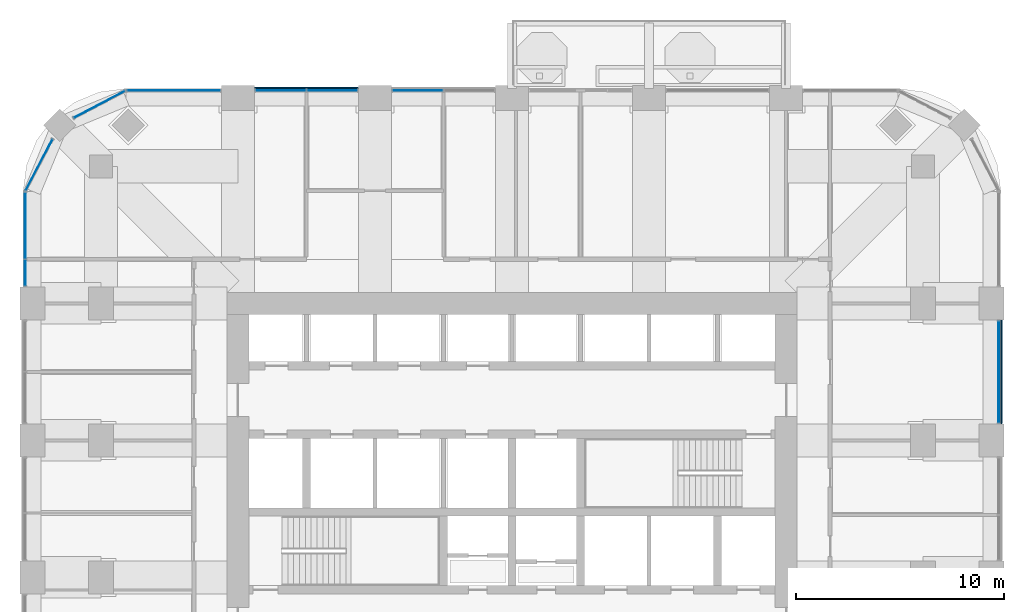
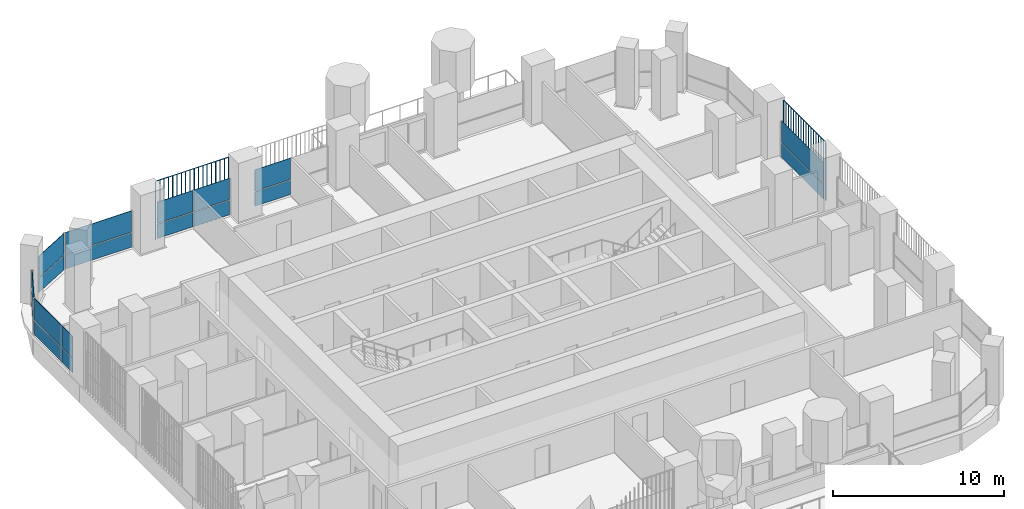
# One storey, part 11 of 20: 20 plates, 7 elements without a shape of their own.
"""IFC4 building model written with IfcOpenShell, lengths in metres."""

import ifcopenshell
import ifcopenshell.guid

model = None  # the IFC model being written
_history = None  # IfcOwnerHistory: only IFC2X3 demands one
_inside = {}  # id of a spatial element -> (the spatial element, [elements in it])
_under = {}  # id of a project, library or spatial element -> (it, [spatial elements below it])
_declared = {}  # id of a project -> (the project, [libraries it declares])
_typed = {}  # id of a type object -> (the type object, [elements of that type])
_made_of = {}  # id of a material, layer set ... -> (it, [elements and type objects made of it])


def new_model(schema):
    """Start an empty IFC model of exactly this schema.

    Asked for "IFC4X3", IfcOpenShell would pick the latest addendum, in which some entities
    have other attributes; the version numbers below select the first issue.
    IFC2X3 requires an IfcOwnerHistory on every rooted entity: one is made here for all.
    """
    global model, _history
    if schema == "IFC4X3":
        model = ifcopenshell.file(schema_version=(4, 3, 0, 0))
    else:
        model = ifcopenshell.file(schema=schema)
    _inside.clear()
    _under.clear()
    _declared.clear()
    _typed.clear()
    _made_of.clear()
    _history = None
    if model.schema == "IFC2X3":
        org = make("IfcOrganization", Name="unknown")
        user = make(
            "IfcPersonAndOrganization",
            ThePerson=make("IfcPerson", FamilyName="unknown"),
            TheOrganization=org,
        )
        app = make(
            "IfcApplication",
            ApplicationDeveloper=org,
            Version="unknown",
            ApplicationFullName="unknown",
            ApplicationIdentifier="unknown",
        )
        _history = make(
            "IfcOwnerHistory",
            OwningUser=user,
            OwningApplication=app,
            ChangeAction="ADDED",
            CreationDate=0,
        )
    return model


def make(cls, **values):
    """One entity of the class cls with the attributes given. An attribute that is None is left unset."""
    return model.create_entity(
        cls, **{name: value for name, value in values.items() if value is not None}
    )


def rooted(cls, **values):
    """An entity with a GlobalId (a new one), such as an element, a storey or a relation."""
    return make(cls, GlobalId=ifcopenshell.guid.new(), OwnerHistory=_history, **values)


def si_unit(unit_type, name, prefix=None):
    """IfcSIUnit, for example si_unit("LENGTHUNIT", "METRE", prefix="MILLI")."""
    return make("IfcSIUnit", UnitType=unit_type, Prefix=prefix, Name=name)


def assignment(units):
    """IfcUnitAssignment: the units of a project."""
    return None if units is None else make("IfcUnitAssignment", Units=units)


def point(xyz):
    """IfcCartesianPoint."""
    return None if xyz is None else make("IfcCartesianPoint", Coordinates=xyz)


def direction(xyz):
    """IfcDirection."""
    return None if xyz is None else make("IfcDirection", DirectionRatios=xyz)


def frame(location, z_axis=None, x_axis=None):
    """IfcAxis2Placement3D, a coordinate frame: its origin and axes. An axis left out is left unset."""
    return make(
        "IfcAxis2Placement3D",
        Location=point(location),
        Axis=direction(z_axis),
        RefDirection=direction(x_axis),
    )


def frame_2d(location, x_axis=None):
    """IfcAxis2Placement2D, a coordinate frame in the plane: its origin and x axis."""
    return make(
        "IfcAxis2Placement2D", Location=point(location), RefDirection=direction(x_axis)
    )


def origin():
    """The frame at (0, 0, 0) with its axes left unset."""
    return frame((0.0, 0.0, 0.0))


def origin_2d():
    """The frame at (0, 0) in the plane with its x axis left unset."""
    return frame_2d((0.0, 0.0))


def place(relative_to, where):
    """IfcLocalPlacement: puts the frame where relative to a parent placement (None: the world)."""
    return make(
        "IfcLocalPlacement", PlacementRelTo=relative_to, RelativePlacement=where
    )


def context(
    kind, dimensions, precision=None, world=None, true_north=None, identifier=None
):
    """IfcGeometricRepresentationContext, for example the 3D "Model" context."""
    return make(
        "IfcGeometricRepresentationContext",
        ContextIdentifier=identifier,
        ContextType=kind,
        CoordinateSpaceDimension=dimensions,
        Precision=precision,
        WorldCoordinateSystem=world,
        TrueNorth=true_north,
    )


def subcontext(parent, identifier, kind, view, scale=None):
    """IfcGeometricRepresentationSubContext, for example "Body" below "Model"."""
    return make(
        "IfcGeometricRepresentationSubContext",
        ContextIdentifier=identifier,
        ContextType=kind,
        ParentContext=parent,
        TargetScale=scale,
        TargetView=view,
    )


def project(units=None, contexts=None):
    """IfcProject with its units and contexts."""
    return rooted(
        "IfcProject",
        Name="project",
        RepresentationContexts=contexts,
        UnitsInContext=assignment(units),
    )


def spatial(cls, under=None, at=None, **own):
    """A site, building, storey or space (cls), placed at a placement, below another one or the project."""
    s = rooted(cls, ObjectPlacement=at, **own)
    if under is not None:
        _under.setdefault(under.id(), (under, []))[1].append(s)
    return s


def polyline(points):
    """IfcPolyline through the points."""
    return make("IfcPolyline", Points=[point(p) for p in points])


def profile(cls, at=None, kind="AREA", **sizes):
    """A parametric profile (cls). Its sizes go by their IFC names, for example OverallWidth=200.0."""
    return make(cls, ProfileType=kind, Position=at, **sizes)


def rectangle(**sizes):
    """IfcRectangleProfileDef."""
    return profile("IfcRectangleProfileDef", **sizes)


def outline(outer, holes=None, kind="AREA"):
    """IfcArbitraryClosedProfileDef: a profile drawn as a closed curve; with holes, ...WithVoids."""
    if holes is None:
        return make("IfcArbitraryClosedProfileDef", ProfileType=kind, OuterCurve=outer)
    return make(
        "IfcArbitraryProfileDefWithVoids",
        ProfileType=kind,
        OuterCurve=outer,
        InnerCurves=holes,
    )


def extrude(swept, where, along, depth):
    """IfcExtrudedAreaSolid: the profile swept, set in the frame where, extruded along a direction by depth."""
    return make(
        "IfcExtrudedAreaSolid",
        SweptArea=swept,
        Position=where,
        ExtrudedDirection=direction(along),
        Depth=depth,
    )


def shape(context_of_items, identifier, shape_type, items):
    """IfcShapeRepresentation: the items that make up one representation, for example the "Body"."""
    return make(
        "IfcShapeRepresentation",
        ContextOfItems=context_of_items,
        RepresentationIdentifier=identifier,
        RepresentationType=shape_type,
        Items=items,
    )


def material(Name=None, Category=None):
    """IfcMaterial."""
    return make("IfcMaterial", Name=Name, Category=Category)


def layer(
    of_material, thickness, ventilated=None, Name=None, Category=None, Priority=None
):
    """IfcMaterialLayer: one layer of a wall or slab, of a material (None: an air gap)."""
    return make(
        "IfcMaterialLayer",
        Material=of_material,
        LayerThickness=thickness,
        IsVentilated=ventilated,
        Name=Name,
        Category=Category,
        Priority=Priority,
    )


def layer_set(layers, Name=None):
    """IfcMaterialLayerSet."""
    return make("IfcMaterialLayerSet", MaterialLayers=layers, LayerSetName=Name)


def made_of(thing, what):
    """Note that an element or type object is made of a material, layer set ...; save() writes the relation."""
    if what is not None:
        _made_of.setdefault(what.id(), (what, []))[1].append(thing)
    return thing


def type_object(cls, material=None, **own):
    """A type object (cls), such as IfcWallType, which elements share."""
    return made_of(rooted(cls, **own), material)


def element(
    cls,
    number,
    at=None,
    inside=None,
    cuts=None,
    type_object=None,
    material=None,
    context=None,
    identifier="Body",
    shape_type=None,
    held_by="IfcProductDefinitionShape",
    body=None,
    shapes=None,
    **own,
):
    """One element of the class cls, such as IfcWall. Its Tag is "e" and its number.

    at: its placement. inside: the storey or other place that contains it. cuts: it is an
    opening in that element (IfcRelVoidsElement). A single representation is given by context,
    identifier, shape_type and body (its items); several are given by shapes. held_by: the class
    of the entity that holds the representations. save() writes the other relations.
    """
    e = rooted(cls, Tag="e%d" % number, ObjectPlacement=at, **own)
    if body is not None:
        shapes = [shape(context, identifier, shape_type, body)]
    if shapes is not None:
        e.Representation = make(held_by, Representations=shapes)
    if inside is not None:
        _inside.setdefault(inside.id(), (inside, []))[1].append(e)
    if cuts is not None:
        rooted(
            "IfcRelVoidsElement", RelatingBuildingElement=cuts, RelatedOpeningElement=e
        )
    if type_object is not None:
        _typed.setdefault(type_object.id(), (type_object, []))[1].append(e)
    return made_of(e, material)


def aggregate(whole, parts):
    """IfcRelAggregates: a whole, such as a stair, and the parts it consists of."""
    return rooted("IfcRelAggregates", RelatingObject=whole, RelatedObjects=parts)


def save(model, path):
    """Write the relations noted so far, then the file.

    IfcRelAggregates (storeys below a building ...), IfcRelContainedInSpatialStructure (elements
    in a storey), IfcRelDefinesByType, IfcRelAssociatesMaterial and IfcRelDeclares: one each for
    every whole, place, type object, material and project.
    """
    for whole, parts in _under.values():
        aggregate(whole, parts)
    for where, things in _inside.values():
        rooted(
            "IfcRelContainedInSpatialStructure",
            RelatedElements=things,
            RelatingStructure=where,
        )
    for kind, things in _typed.values():
        rooted("IfcRelDefinesByType", RelatedObjects=things, RelatingType=kind)
    for what, things in _made_of.values():
        rooted("IfcRelAssociatesMaterial", RelatedObjects=things, RelatingMaterial=what)
    for by, libraries in _declared.values():
        rooted("IfcRelDeclares", RelatingContext=by, RelatedDefinitions=libraries)
    model.write(path)


model = new_model("IFC4")

# Units and contexts
model_context = context("Model", 3, precision=1e-05, world=origin(), true_north=direction((0.0, 1.0)))
body_context = subcontext(model_context, "Body", "Model", "MODEL_VIEW")
ifc_project = project(units=[si_unit("LENGTHUNIT", "METRE"), si_unit("AREAUNIT", "SQUARE_METRE"), si_unit("VOLUMEUNIT", "CUBIC_METRE"), si_unit("PLANEANGLEUNIT", "RADIAN"), si_unit("MASSUNIT", "GRAM", prefix="KILO")], contexts=[model_context])

# Site, building, storey
site_placement = place(None, origin())
site = spatial("IfcSite", under=ifc_project, at=site_placement, CompositionType="ELEMENT")
building_placement = place(site_placement, origin())
building = spatial("IfcBuilding", under=site, at=building_placement, Name="Cobogo Forest Laboratory Tower", CompositionType="ELEMENT")
storey_placement = place(building_placement, frame((0.0, 0.0, 214.5)))
storey = spatial("IfcBuildingStorey", under=building, at=storey_placement, Name="L49", CompositionType="ELEMENT", Elevation=214.5)

# Curtain wall, plates
ifc_material_1 = material(Name="Aluminium curtain wall", Category="aluminium")
curtain_wall_type = type_object("IfcCurtainWallType", Name="CW-2 unitised curtain wall, solar control glazing, laboratory floors zones C and D", PredefinedType="USERDEFINED", material=ifc_material_1)
curtain_wall_1_placement = place(storey_placement, origin())
curtain_wall_1 = element("IfcCurtainWall", 1, at=curtain_wall_1_placement, inside=storey, type_object=curtain_wall_type, Name="Curtain wall 12 L49", ObjectType="UNITISED CURTAIN WALL", PredefinedType="USERDEFINED")
ifc_material_2 = material(Name="Solar control insulated glass", Category="glass")
ifc_layer = layer(ifc_material_2, 0.031982421875)
ifc_layer_set = layer_set([ifc_layer], Name="GP-2 solar control glass unit 32")
plate_type_1 = type_object("IfcPlateType", Name="GP-2 solar control glass unit 32", PredefinedType="CURTAIN_PANEL", material=ifc_layer_set)
plate_1_placement = place(storey_placement, frame((49.85009765625, 29.699951171875, 0.0), z_axis=(0.0, 0.0, 1.0), x_axis=(0.0, 1.0, 0.0)))
plate_1 = element("IfcPlate", 2, at=plate_1_placement, type_object=plate_type_1, Name="CW-2 panel 1.1", PredefinedType="CURTAIN_PANEL", context=body_context, shape_type="SweptSolid", body=[
    extrude(rectangle(XDim=4.8798828125, YDim=0.031982421875, at=origin_2d()), origin(), (0.0, 0.0, 1.0), 1.02001953125),
])
plate_2_placement = place(storey_placement, frame((49.85009765625, 29.699951171875, 1.080078125), z_axis=(0.0, 0.0, 1.0), x_axis=(0.0, 1.0, 0.0)))
plate_2 = element("IfcPlate", 3, at=plate_2_placement, type_object=plate_type_1, Name="CW-2 panel 1.2", PredefinedType="CURTAIN_PANEL", context=body_context, shape_type="SweptSolid", body=[
    extrude(rectangle(XDim=4.8798828125, YDim=0.031982421875, at=origin_2d()), origin(), (0.0, 0.0, 1.0), 1.52001953125),
])
aggregate(curtain_wall_1, [plate_1, plate_2])

curtain_wall_2_placement = place(storey_placement, origin())
curtain_wall_2 = element("IfcCurtainWall", 4, at=curtain_wall_2_placement, inside=storey, type_object=curtain_wall_type, Name="Curtain wall 19 L49", ObjectType="UNITISED CURTAIN WALL", PredefinedType="USERDEFINED")
plate_3_placement = place(storey_placement, frame((21.864990234375, 43.25, 0.0), z_axis=(0.0, 0.0, 1.0), x_axis=(-1.0, 0.0, 0.0)))
plate_3 = element("IfcPlate", 5, at=plate_3_placement, type_object=plate_type_1, Name="CW-2 panel 2.1", PredefinedType="CURTAIN_PANEL", context=body_context, shape_type="SweptSolid", body=[
    extrude(rectangle(XDim=2.409912109375, YDim=0.031982421875, at=origin_2d()), origin(), (0.0, 0.0, 1.0), 1.02001953125),
])
plate_4_placement = place(storey_placement, frame((21.864990234375, 43.25, 1.080078125), z_axis=(0.0, 0.0, 1.0), x_axis=(-1.0, 0.0, 0.0)))
plate_4 = element("IfcPlate", 6, at=plate_4_placement, type_object=plate_type_1, Name="CW-2 panel 2.2", PredefinedType="CURTAIN_PANEL", context=body_context, shape_type="SweptSolid", body=[
    extrude(rectangle(XDim=2.409912109375, YDim=0.031982421875, at=origin_2d()), origin(), (0.0, 0.0, 1.0), 1.52001953125),
])
aggregate(curtain_wall_2, [plate_3, plate_4])

curtain_wall_3_placement = place(storey_placement, origin())
curtain_wall_3 = element("IfcCurtainWall", 7, at=curtain_wall_3_placement, inside=storey, type_object=curtain_wall_type, Name="Curtain wall 20 L49", ObjectType="UNITISED CURTAIN WALL", PredefinedType="USERDEFINED")
plate_5_placement = place(storey_placement, frame((17.735107421875, 43.25, 0.0), z_axis=(0.0, 0.0, 1.0), x_axis=(-1.0, 0.0, 0.0)))
plate_5 = element("IfcPlate", 8, at=plate_5_placement, type_object=plate_type_1, Name="CW-2 panel 1.1", PredefinedType="CURTAIN_PANEL", context=body_context, shape_type="SweptSolid", body=[
    extrude(rectangle(XDim=2.409912109375, YDim=0.031982421875, at=origin_2d()), origin(), (0.0, 0.0, 1.0), 1.02001953125),
])
plate_6_placement = place(storey_placement, frame((17.735107421875, 43.25, 1.080078125), z_axis=(0.0, 0.0, 1.0), x_axis=(-1.0, 0.0, 0.0)))
plate_6 = element("IfcPlate", 9, at=plate_6_placement, type_object=plate_type_1, Name="CW-2 panel 1.2", PredefinedType="CURTAIN_PANEL", context=body_context, shape_type="SweptSolid", body=[
    extrude(rectangle(XDim=2.409912109375, YDim=0.031982421875, at=origin_2d()), origin(), (0.0, 0.0, 1.0), 1.52001953125),
])
plate_7_placement = place(storey_placement, frame((15.264892578125, 43.25, 0.0), z_axis=(0.0, 0.0, 1.0), x_axis=(-1.0, 0.0, 0.0)))
plate_7 = element("IfcPlate", 10, at=plate_7_placement, type_object=plate_type_1, Name="CW-2 panel 2.1", PredefinedType="CURTAIN_PANEL", context=body_context, shape_type="SweptSolid", body=[
    extrude(rectangle(XDim=2.409912109375, YDim=0.031982421875, at=origin_2d()), origin(), (0.0, 0.0, 1.0), 1.02001953125),
])
plate_8_placement = place(storey_placement, frame((15.264892578125, 43.25, 1.080078125), z_axis=(0.0, 0.0, 1.0), x_axis=(-1.0, 0.0, 0.0)))
plate_8 = element("IfcPlate", 11, at=plate_8_placement, type_object=plate_type_1, Name="CW-2 panel 2.2", PredefinedType="CURTAIN_PANEL", context=body_context, shape_type="SweptSolid", body=[
    extrude(rectangle(XDim=2.409912109375, YDim=0.031982421875, at=origin_2d()), origin(), (0.0, 0.0, 1.0), 1.52001953125),
])
aggregate(curtain_wall_3, [plate_5, plate_6, plate_7, plate_8])

curtain_wall_4_placement = place(storey_placement, origin())
curtain_wall_4 = element("IfcCurtainWall", 12, at=curtain_wall_4_placement, inside=storey, type_object=curtain_wall_type, Name="Curtain wall 21 L49", ObjectType="UNITISED CURTAIN WALL", PredefinedType="USERDEFINED")
plate_9_placement = place(storey_placement, frame((10.10009765625, 43.25, 0.0), z_axis=(0.0, 0.0, 1.0), x_axis=(-1.0, 0.0, 0.0)))
plate_9 = element("IfcPlate", 13, at=plate_9_placement, type_object=plate_type_1, Name="CW-2 panel 1.1", PredefinedType="CURTAIN_PANEL", context=body_context, shape_type="SweptSolid", body=[
    extrude(rectangle(XDim=4.47998046875, YDim=0.031982421875, at=origin_2d()), origin(), (0.0, 0.0, 1.0), 1.02001953125),
])
plate_10_placement = place(storey_placement, frame((10.10009765625, 43.25, 1.080078125), z_axis=(0.0, 0.0, 1.0), x_axis=(-1.0, 0.0, 0.0)))
plate_10 = element("IfcPlate", 14, at=plate_10_placement, type_object=plate_type_1, Name="CW-2 panel 1.2", PredefinedType="CURTAIN_PANEL", context=body_context, shape_type="SweptSolid", body=[
    extrude(rectangle(XDim=4.47998046875, YDim=0.031982421875, at=origin_2d()), origin(), (0.0, 0.0, 1.0), 1.52001953125),
])
aggregate(curtain_wall_4, [plate_9, plate_10])

curtain_wall_5_placement = place(storey_placement, origin())
curtain_wall_5 = element("IfcCurtainWall", 15, at=curtain_wall_5_placement, inside=storey, type_object=curtain_wall_type, Name="Curtain wall 22 L49", ObjectType="UNITISED CURTAIN WALL", PredefinedType="USERDEFINED")
plate_11_placement = place(storey_placement, frame((6.5244140625, 42.581298828125, 0.0), z_axis=(0.0, 0.0, 1.0), x_axis=(-0.885686484356, -0.464283804832, 0.0)))
plate_11 = element("IfcPlate", 16, at=plate_11_placement, type_object=plate_type_1, Name="CW-2 panel 1.1", PredefinedType="CURTAIN_PANEL", context=body_context, shape_type="SweptSolid", body=[
    extrude(rectangle(XDim=2.76025390625, YDim=0.031982421875, at=origin_2d()), origin(), (0.0, 0.0, 1.0), 1.02001953125),
])
plate_12_placement = place(storey_placement, frame((6.5244140625, 42.581298828125, 1.080078125), z_axis=(0.0, 0.0, 1.0), x_axis=(-0.885686484356, -0.464283804832, 0.0)))
plate_12 = element("IfcPlate", 17, at=plate_12_placement, type_object=plate_type_1, Name="CW-2 panel 1.2", PredefinedType="CURTAIN_PANEL", context=body_context, shape_type="SweptSolid", body=[
    extrude(rectangle(XDim=2.76025390625, YDim=0.031982421875, at=origin_2d()), origin(), (0.0, 0.0, 1.0), 1.52001953125),
])
aggregate(curtain_wall_5, [plate_11, plate_12])

curtain_wall_6_placement = place(storey_placement, origin())
curtain_wall_6 = element("IfcCurtainWall", 18, at=curtain_wall_6_placement, inside=storey, type_object=curtain_wall_type, Name="Curtain wall 23 L49", ObjectType="UNITISED CURTAIN WALL", PredefinedType="USERDEFINED")
plate_13_placement = place(storey_placement, frame((3.61865234375, 39.675537109375, 0.0), z_axis=(0.0, 0.0, 1.0), x_axis=(-0.464283804832, -0.885686484356, 0.0)))
plate_13 = element("IfcPlate", 19, at=plate_13_placement, type_object=plate_type_1, Name="CW-2 panel 1.1", PredefinedType="CURTAIN_PANEL", context=body_context, shape_type="SweptSolid", body=[
    extrude(rectangle(XDim=2.76025390625, YDim=0.031982421875, at=origin_2d()), origin(), (0.0, 0.0, 1.0), 1.02001953125),
])
plate_14_placement = place(storey_placement, frame((3.61865234375, 39.675537109375, 1.080078125), z_axis=(0.0, 0.0, 1.0), x_axis=(-0.464283804832, -0.885686484356, 0.0)))
plate_14 = element("IfcPlate", 20, at=plate_14_placement, type_object=plate_type_1, Name="CW-2 panel 1.2", PredefinedType="CURTAIN_PANEL", context=body_context, shape_type="SweptSolid", body=[
    extrude(rectangle(XDim=2.76025390625, YDim=0.031982421875, at=origin_2d()), origin(), (0.0, 0.0, 1.0), 1.52001953125),
])
aggregate(curtain_wall_6, [plate_13, plate_14])

curtain_wall_7_placement = place(storey_placement, origin())
curtain_wall_7 = element("IfcCurtainWall", 21, at=curtain_wall_7_placement, inside=storey, type_object=curtain_wall_type, Name="Curtain wall 24 L49", ObjectType="UNITISED CURTAIN WALL", PredefinedType="USERDEFINED")
plate_15_placement = place(storey_placement, frame((2.949951171875, 36.74755859375, 0.0), z_axis=(0.0, 0.0, 1.0), x_axis=(0.0, -1.0, 0.0)))
plate_15 = element("IfcPlate", 22, at=plate_15_placement, type_object=plate_type_1, Name="CW-2 panel 1.1", PredefinedType="CURTAIN_PANEL", context=body_context, shape_type="SweptSolid", body=[
    extrude(rectangle(XDim=3.18505859375, YDim=0.031982421875, at=origin_2d()), origin(), (0.0, 0.0, 1.0), 1.02001953125),
])
plate_16_placement = place(storey_placement, frame((2.949951171875, 36.74755859375, 1.080078125), z_axis=(0.0, 0.0, 1.0), x_axis=(0.0, -1.0, 0.0)))
plate_16 = element("IfcPlate", 23, at=plate_16_placement, type_object=plate_type_1, Name="CW-2 panel 1.2", PredefinedType="CURTAIN_PANEL", context=body_context, shape_type="SweptSolid", body=[
    extrude(rectangle(XDim=3.18505859375, YDim=0.031982421875, at=origin_2d()), origin(), (0.0, 0.0, 1.0), 1.52001953125),
])
plate_17_placement = place(storey_placement, frame((2.949951171875, 34.4775390625, 0.0), z_axis=(0.0, 0.0, 1.0), x_axis=(0.0, -1.0, 0.0)))
plate_17 = element("IfcPlate", 24, at=plate_17_placement, type_object=plate_type_1, Name="CW-2 panel 2.1", PredefinedType="CURTAIN_PANEL", context=body_context, shape_type="SweptSolid", body=[
    extrude(rectangle(XDim=1.235107421875, YDim=0.031982421875, at=origin_2d()), origin(), (0.0, 0.0, 1.0), 1.02001953125),
])
plate_18_placement = place(storey_placement, frame((2.949951171875, 34.4775390625, 1.080078125), z_axis=(0.0, 0.0, 1.0), x_axis=(0.0, -1.0, 0.0)))
plate_18 = element("IfcPlate", 25, at=plate_18_placement, type_object=plate_type_1, Name="CW-2 panel 2.2", PredefinedType="CURTAIN_PANEL", context=body_context, shape_type="SweptSolid", body=[
    extrude(rectangle(XDim=1.235107421875, YDim=0.031982421875, at=origin_2d()), origin(), (0.0, 0.0, 1.0), 1.52001953125),
])
aggregate(curtain_wall_7, [plate_15, plate_16, plate_17, plate_18])

# Plates
ifc_material_3 = material(Name="Terracotta", Category="masonry")
plate_type_2 = type_object("IfcPlateType", Name="TB1 terracotta baguette screen", PredefinedType="USERDEFINED", material=ifc_material_3)
plate_19_placement = place(storey_placement, frame((49.977783203125, 27.231201171875, -0.14990234375)))
element("IfcPlate", 26, at=plate_19_placement, inside=storey, type_object=plate_type_2, Name="Baguette screen E3 L49", ObjectType="BAGUETTE SCREEN", PredefinedType="USERDEFINED", context=body_context, shape_type="SweptSolid", body=[
    extrude(outline(polyline([(0.02880859375, 0.011962890625), (0.011962890625, 0.02880859375), (-0.011962890625, 0.02880859375), (-0.02880859375, 0.011962890625), (-0.02880859375, -0.011962890625), (-0.011962890625, -0.02880859375), (0.011962890625, -0.02880859375), (0.02880859375, -0.011962890625), (0.02880859375, 0.011962890625)])), frame((0.0, 0.0, 4.168701171875), z_axis=(0.0, 1.0, 0.0), x_axis=(-1.0, 0.0, 0.0)), (0.0, 0.0, 1.0), 4.9375),
    extrude(outline(polyline([(0.02880859375, 0.011962890625), (0.011962890625, 0.02880859375), (-0.011962890625, 0.02880859375), (-0.02880859375, 0.011962890625), (-0.02880859375, -0.011962890625), (-0.011962890625, -0.02880859375), (0.011962890625, -0.02880859375), (0.02880859375, -0.011962890625), (0.02880859375, 0.011962890625)])), origin(), (0.0, 0.0, 1.0), 4.137451171875),
    extrude(outline(polyline([(0.02880859375, 0.011962890625), (0.011962890625, 0.02880859375), (-0.011962890625, 0.02880859375), (-0.02880859375, 0.011962890625), (-0.02880859375, -0.011962890625), (-0.011962890625, -0.02880859375), (0.011962890625, -0.02880859375), (0.02880859375, -0.011962890625), (0.02880859375, 0.011962890625)])), frame((0.0, 0.29052734375, 0.0)), (0.0, 0.0, 1.0), 4.137451171875),
    extrude(outline(polyline([(0.02880859375, 0.011962890625), (0.011962890625, 0.02880859375), (-0.011962890625, 0.02880859375), (-0.02880859375, 0.011962890625), (-0.02880859375, -0.011962890625), (-0.011962890625, -0.02880859375), (0.011962890625, -0.02880859375), (0.02880859375, -0.011962890625), (0.02880859375, 0.011962890625)])), frame((0.0, 0.580810546875, 0.0)), (0.0, 0.0, 1.0), 4.137451171875),
    extrude(outline(polyline([(0.02880859375, 0.011962890625), (0.011962890625, 0.02880859375), (-0.011962890625, 0.02880859375), (-0.02880859375, 0.011962890625), (-0.02880859375, -0.011962890625), (-0.011962890625, -0.02880859375), (0.011962890625, -0.02880859375), (0.02880859375, -0.011962890625), (0.02880859375, 0.011962890625)])), frame((0.0, 0.871337890625, 0.0)), (0.0, 0.0, 1.0), 4.137451171875),
    extrude(outline(polyline([(0.02880859375, 0.011962890625), (0.011962890625, 0.02880859375), (-0.011962890625, 0.02880859375), (-0.02880859375, 0.011962890625), (-0.02880859375, -0.011962890625), (-0.011962890625, -0.02880859375), (0.011962890625, -0.02880859375), (0.02880859375, -0.011962890625), (0.02880859375, 0.011962890625)])), frame((0.0, 1.161865234375, 0.0)), (0.0, 0.0, 1.0), 4.137451171875),
    extrude(outline(polyline([(0.02880859375, 0.011962890625), (0.011962890625, 0.02880859375), (-0.011962890625, 0.02880859375), (-0.02880859375, 0.011962890625), (-0.02880859375, -0.011962890625), (-0.011962890625, -0.02880859375), (0.011962890625, -0.02880859375), (0.02880859375, -0.011962890625), (0.02880859375, 0.011962890625)])), frame((0.0, 1.4521484375, 0.0)), (0.0, 0.0, 1.0), 4.137451171875),
    extrude(outline(polyline([(0.02880859375, 0.011962890625), (0.011962890625, 0.02880859375), (-0.011962890625, 0.02880859375), (-0.02880859375, 0.011962890625), (-0.02880859375, -0.011962890625), (-0.011962890625, -0.02880859375), (0.011962890625, -0.02880859375), (0.02880859375, -0.011962890625), (0.02880859375, 0.011962890625)])), frame((0.0, 1.74267578125, 0.0)), (0.0, 0.0, 1.0), 4.137451171875),
    extrude(outline(polyline([(0.02880859375, 0.011962890625), (0.011962890625, 0.02880859375), (-0.011962890625, 0.02880859375), (-0.02880859375, 0.011962890625), (-0.02880859375, -0.011962890625), (-0.011962890625, -0.02880859375), (0.011962890625, -0.02880859375), (0.02880859375, -0.011962890625), (0.02880859375, 0.011962890625)])), frame((0.0, 2.033203125, 0.0)), (0.0, 0.0, 1.0), 4.137451171875),
    extrude(outline(polyline([(0.02880859375, 0.011962890625), (0.011962890625, 0.02880859375), (-0.011962890625, 0.02880859375), (-0.02880859375, 0.011962890625), (-0.02880859375, -0.011962890625), (-0.011962890625, -0.02880859375), (0.011962890625, -0.02880859375), (0.02880859375, -0.011962890625), (0.02880859375, 0.011962890625)])), frame((0.0, 2.323486328125, 0.0)), (0.0, 0.0, 1.0), 4.137451171875),
    extrude(outline(polyline([(0.02880859375, 0.011962890625), (0.011962890625, 0.02880859375), (-0.011962890625, 0.02880859375), (-0.02880859375, 0.011962890625), (-0.02880859375, -0.011962890625), (-0.011962890625, -0.02880859375), (0.011962890625, -0.02880859375), (0.02880859375, -0.011962890625), (0.02880859375, 0.011962890625)])), frame((0.0, 2.614013671875, 0.0)), (0.0, 0.0, 1.0), 4.137451171875),
    extrude(outline(polyline([(0.02880859375, 0.011962890625), (0.011962890625, 0.02880859375), (-0.011962890625, 0.02880859375), (-0.02880859375, 0.011962890625), (-0.02880859375, -0.011962890625), (-0.011962890625, -0.02880859375), (0.011962890625, -0.02880859375), (0.02880859375, -0.011962890625), (0.02880859375, 0.011962890625)])), frame((0.0, 2.904296875, 0.0)), (0.0, 0.0, 1.0), 4.137451171875),
    extrude(outline(polyline([(0.02880859375, 0.011962890625), (0.011962890625, 0.02880859375), (-0.011962890625, 0.02880859375), (-0.02880859375, 0.011962890625), (-0.02880859375, -0.011962890625), (-0.011962890625, -0.02880859375), (0.011962890625, -0.02880859375), (0.02880859375, -0.011962890625), (0.02880859375, 0.011962890625)])), frame((0.0, 3.19482421875, 0.0)), (0.0, 0.0, 1.0), 4.137451171875),
    extrude(outline(polyline([(0.02880859375, 0.011962890625), (0.011962890625, 0.02880859375), (-0.011962890625, 0.02880859375), (-0.02880859375, 0.011962890625), (-0.02880859375, -0.011962890625), (-0.011962890625, -0.02880859375), (0.011962890625, -0.02880859375), (0.02880859375, -0.011962890625), (0.02880859375, 0.011962890625)])), frame((0.0, 3.4853515625, 0.0)), (0.0, 0.0, 1.0), 4.137451171875),
    extrude(outline(polyline([(0.02880859375, 0.011962890625), (0.011962890625, 0.02880859375), (-0.011962890625, 0.02880859375), (-0.02880859375, 0.011962890625), (-0.02880859375, -0.011962890625), (-0.011962890625, -0.02880859375), (0.011962890625, -0.02880859375), (0.02880859375, -0.011962890625), (0.02880859375, 0.011962890625)])), frame((0.0, 3.775634765625, 0.0)), (0.0, 0.0, 1.0), 4.137451171875),
    extrude(outline(polyline([(0.02880859375, 0.011962890625), (0.011962890625, 0.02880859375), (-0.011962890625, 0.02880859375), (-0.02880859375, 0.011962890625), (-0.02880859375, -0.011962890625), (-0.011962890625, -0.02880859375), (0.011962890625, -0.02880859375), (0.02880859375, -0.011962890625), (0.02880859375, 0.011962890625)])), frame((0.0, 4.066162109375, 0.0)), (0.0, 0.0, 1.0), 4.137451171875),
    extrude(outline(polyline([(0.02880859375, 0.011962890625), (0.011962890625, 0.02880859375), (-0.011962890625, 0.02880859375), (-0.02880859375, 0.011962890625), (-0.02880859375, -0.011962890625), (-0.011962890625, -0.02880859375), (0.011962890625, -0.02880859375), (0.02880859375, -0.011962890625), (0.02880859375, 0.011962890625)])), frame((0.0, 4.356689453125, 0.0)), (0.0, 0.0, 1.0), 4.137451171875),
    extrude(outline(polyline([(0.02880859375, 0.011962890625), (0.011962890625, 0.02880859375), (-0.011962890625, 0.02880859375), (-0.02880859375, 0.011962890625), (-0.02880859375, -0.011962890625), (-0.011962890625, -0.02880859375), (0.011962890625, -0.02880859375), (0.02880859375, -0.011962890625), (0.02880859375, 0.011962890625)])), frame((0.0, 4.64697265625, 0.0)), (0.0, 0.0, 1.0), 4.137451171875),
    extrude(outline(polyline([(0.02880859375, 0.011962890625), (0.011962890625, 0.02880859375), (-0.011962890625, 0.02880859375), (-0.02880859375, 0.011962890625), (-0.02880859375, -0.011962890625), (-0.011962890625, -0.02880859375), (0.011962890625, -0.02880859375), (0.02880859375, -0.011962890625), (0.02880859375, 0.011962890625)])), frame((0.0, 4.9375, 0.0)), (0.0, 0.0, 1.0), 4.137451171875),
])
plate_20_placement = place(storey_placement, frame((14.03125, 43.3779296875, -0.14990234375)))
element("IfcPlate", 27, at=plate_20_placement, inside=storey, type_object=plate_type_2, Name="Baguette screen N1 L49", ObjectType="BAGUETTE SCREEN", PredefinedType="USERDEFINED", context=body_context, shape_type="SweptSolid", body=[
    extrude(outline(polyline([(0.02880859375, 0.011962890625), (0.011962890625, 0.02880859375), (-0.011962890625, 0.02880859375), (-0.02880859375, 0.011962890625), (-0.02880859375, -0.011962890625), (-0.011962890625, -0.02880859375), (0.011962890625, -0.02880859375), (0.02880859375, -0.011962890625), (0.02880859375, 0.011962890625)])), frame((0.0, 0.0, 4.168701171875), z_axis=(1.0, 0.0, 0.0), x_axis=(0.0, 1.0, 0.0)), (0.0, 0.0, 1.0), 4.9375),
    extrude(outline(polyline([(0.02880859375, 0.011962890625), (0.011962890625, 0.02880859375), (-0.011962890625, 0.02880859375), (-0.02880859375, 0.011962890625), (-0.02880859375, -0.011962890625), (-0.011962890625, -0.02880859375), (0.011962890625, -0.02880859375), (0.02880859375, -0.011962890625), (0.02880859375, 0.011962890625)])), origin(), (0.0, 0.0, 1.0), 4.137451171875),
    extrude(outline(polyline([(0.02880859375, 0.011962890625), (0.011962890625, 0.02880859375), (-0.011962890625, 0.02880859375), (-0.02880859375, 0.011962890625), (-0.02880859375, -0.011962890625), (-0.011962890625, -0.02880859375), (0.011962890625, -0.02880859375), (0.02880859375, -0.011962890625), (0.02880859375, 0.011962890625)])), frame((0.29052734375, 0.0, 0.0)), (0.0, 0.0, 1.0), 4.137451171875),
    extrude(outline(polyline([(0.02880859375, 0.011962890625), (0.011962890625, 0.02880859375), (-0.011962890625, 0.02880859375), (-0.02880859375, 0.011962890625), (-0.02880859375, -0.011962890625), (-0.011962890625, -0.02880859375), (0.011962890625, -0.02880859375), (0.02880859375, -0.011962890625), (0.02880859375, 0.011962890625)])), frame((0.580810546875, 0.0, 0.0)), (0.0, 0.0, 1.0), 4.137451171875),
    extrude(outline(polyline([(0.02880859375, 0.011962890625), (0.011962890625, 0.02880859375), (-0.011962890625, 0.02880859375), (-0.02880859375, 0.011962890625), (-0.02880859375, -0.011962890625), (-0.011962890625, -0.02880859375), (0.011962890625, -0.02880859375), (0.02880859375, -0.011962890625), (0.02880859375, 0.011962890625)])), frame((0.871337890625, 0.0, 0.0)), (0.0, 0.0, 1.0), 4.137451171875),
    extrude(outline(polyline([(0.02880859375, 0.011962890625), (0.011962890625, 0.02880859375), (-0.011962890625, 0.02880859375), (-0.02880859375, 0.011962890625), (-0.02880859375, -0.011962890625), (-0.011962890625, -0.02880859375), (0.011962890625, -0.02880859375), (0.02880859375, -0.011962890625), (0.02880859375, 0.011962890625)])), frame((1.161865234375, 0.0, 0.0)), (0.0, 0.0, 1.0), 4.137451171875),
    extrude(outline(polyline([(0.02880859375, 0.011962890625), (0.011962890625, 0.02880859375), (-0.011962890625, 0.02880859375), (-0.02880859375, 0.011962890625), (-0.02880859375, -0.011962890625), (-0.011962890625, -0.02880859375), (0.011962890625, -0.02880859375), (0.02880859375, -0.011962890625), (0.02880859375, 0.011962890625)])), frame((1.4521484375, 0.0, 0.0)), (0.0, 0.0, 1.0), 4.137451171875),
    extrude(outline(polyline([(0.02880859375, 0.011962890625), (0.011962890625, 0.02880859375), (-0.011962890625, 0.02880859375), (-0.02880859375, 0.011962890625), (-0.02880859375, -0.011962890625), (-0.011962890625, -0.02880859375), (0.011962890625, -0.02880859375), (0.02880859375, -0.011962890625), (0.02880859375, 0.011962890625)])), frame((1.74267578125, 0.0, 0.0)), (0.0, 0.0, 1.0), 4.137451171875),
    extrude(outline(polyline([(0.02880859375, 0.011962890625), (0.011962890625, 0.02880859375), (-0.011962890625, 0.02880859375), (-0.02880859375, 0.011962890625), (-0.02880859375, -0.011962890625), (-0.011962890625, -0.02880859375), (0.011962890625, -0.02880859375), (0.02880859375, -0.011962890625), (0.02880859375, 0.011962890625)])), frame((2.033203125, 0.0, 0.0)), (0.0, 0.0, 1.0), 4.137451171875),
    extrude(outline(polyline([(0.02880859375, 0.011962890625), (0.011962890625, 0.02880859375), (-0.011962890625, 0.02880859375), (-0.02880859375, 0.011962890625), (-0.02880859375, -0.011962890625), (-0.011962890625, -0.02880859375), (0.011962890625, -0.02880859375), (0.02880859375, -0.011962890625), (0.02880859375, 0.011962890625)])), frame((2.323486328125, 0.0, 0.0)), (0.0, 0.0, 1.0), 4.137451171875),
    extrude(outline(polyline([(0.02880859375, 0.011962890625), (0.011962890625, 0.02880859375), (-0.011962890625, 0.02880859375), (-0.02880859375, 0.011962890625), (-0.02880859375, -0.011962890625), (-0.011962890625, -0.02880859375), (0.011962890625, -0.02880859375), (0.02880859375, -0.011962890625), (0.02880859375, 0.011962890625)])), frame((2.614013671875, 0.0, 0.0)), (0.0, 0.0, 1.0), 4.137451171875),
    extrude(outline(polyline([(0.02880859375, 0.011962890625), (0.011962890625, 0.02880859375), (-0.011962890625, 0.02880859375), (-0.02880859375, 0.011962890625), (-0.02880859375, -0.011962890625), (-0.011962890625, -0.02880859375), (0.011962890625, -0.02880859375), (0.02880859375, -0.011962890625), (0.02880859375, 0.011962890625)])), frame((2.904296875, 0.0, 0.0)), (0.0, 0.0, 1.0), 4.137451171875),
    extrude(outline(polyline([(0.02880859375, 0.011962890625), (0.011962890625, 0.02880859375), (-0.011962890625, 0.02880859375), (-0.02880859375, 0.011962890625), (-0.02880859375, -0.011962890625), (-0.011962890625, -0.02880859375), (0.011962890625, -0.02880859375), (0.02880859375, -0.011962890625), (0.02880859375, 0.011962890625)])), frame((3.19482421875, 0.0, 0.0)), (0.0, 0.0, 1.0), 4.137451171875),
    extrude(outline(polyline([(0.02880859375, 0.011962890625), (0.011962890625, 0.02880859375), (-0.011962890625, 0.02880859375), (-0.02880859375, 0.011962890625), (-0.02880859375, -0.011962890625), (-0.011962890625, -0.02880859375), (0.011962890625, -0.02880859375), (0.02880859375, -0.011962890625), (0.02880859375, 0.011962890625)])), frame((3.4853515625, 0.0, 0.0)), (0.0, 0.0, 1.0), 4.137451171875),
    extrude(outline(polyline([(0.02880859375, 0.011962890625), (0.011962890625, 0.02880859375), (-0.011962890625, 0.02880859375), (-0.02880859375, 0.011962890625), (-0.02880859375, -0.011962890625), (-0.011962890625, -0.02880859375), (0.011962890625, -0.02880859375), (0.02880859375, -0.011962890625), (0.02880859375, 0.011962890625)])), frame((3.775634765625, 0.0, 0.0)), (0.0, 0.0, 1.0), 4.137451171875),
    extrude(outline(polyline([(0.02880859375, 0.011962890625), (0.011962890625, 0.02880859375), (-0.011962890625, 0.02880859375), (-0.02880859375, 0.011962890625), (-0.02880859375, -0.011962890625), (-0.011962890625, -0.02880859375), (0.011962890625, -0.02880859375), (0.02880859375, -0.011962890625), (0.02880859375, 0.011962890625)])), frame((4.066162109375, 0.0, 0.0)), (0.0, 0.0, 1.0), 4.137451171875),
    extrude(outline(polyline([(0.02880859375, 0.011962890625), (0.011962890625, 0.02880859375), (-0.011962890625, 0.02880859375), (-0.02880859375, 0.011962890625), (-0.02880859375, -0.011962890625), (-0.011962890625, -0.02880859375), (0.011962890625, -0.02880859375), (0.02880859375, -0.011962890625), (0.02880859375, 0.011962890625)])), frame((4.356689453125, 0.0, 0.0)), (0.0, 0.0, 1.0), 4.137451171875),
    extrude(outline(polyline([(0.02880859375, 0.011962890625), (0.011962890625, 0.02880859375), (-0.011962890625, 0.02880859375), (-0.02880859375, 0.011962890625), (-0.02880859375, -0.011962890625), (-0.011962890625, -0.02880859375), (0.011962890625, -0.02880859375), (0.02880859375, -0.011962890625), (0.02880859375, 0.011962890625)])), frame((4.64697265625, 0.0, 0.0)), (0.0, 0.0, 1.0), 4.137451171875),
    extrude(outline(polyline([(0.02880859375, 0.011962890625), (0.011962890625, 0.02880859375), (-0.011962890625, 0.02880859375), (-0.02880859375, 0.011962890625), (-0.02880859375, -0.011962890625), (-0.011962890625, -0.02880859375), (0.011962890625, -0.02880859375), (0.02880859375, -0.011962890625), (0.02880859375, 0.011962890625)])), frame((4.9375, 0.0, 0.0)), (0.0, 0.0, 1.0), 4.137451171875),
])

save(model, "model.ifc")
